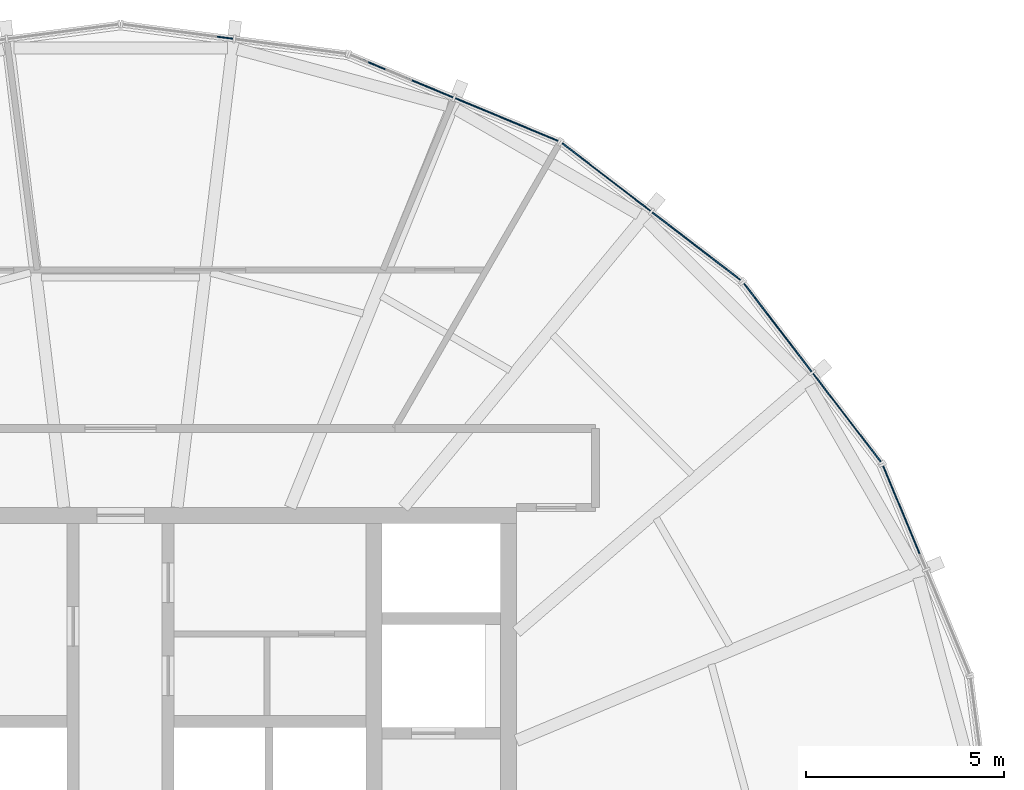
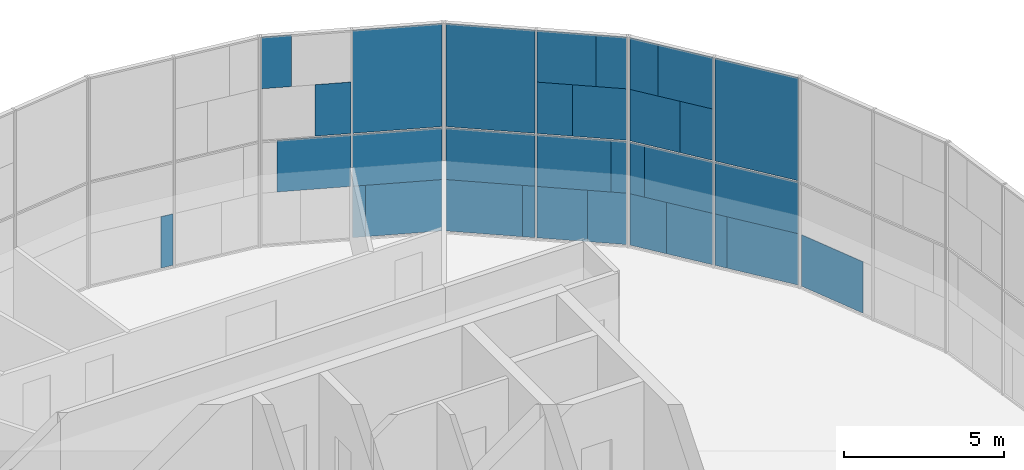
# One storey, part 15 of 19: 33 plates, 5 elements without a shape of their own.
"""IFC4 building model written with IfcOpenShell, lengths in metres."""

from ifc_helpers import new_model, si_unit, direction, frame, origin, origin_2d, place, context, subcontext, project, spatial, rectangle, extrude, material, layer, layer_set, type_object, element, aggregate, save


model = new_model("IFC4")

# Units and contexts
model_context = context("Model", 3, precision=1e-05, world=origin(), true_north=direction((0.0, 1.0)))
body_context = subcontext(model_context, "Body", "Model", "MODEL_VIEW")
ifc_project = project(units=[si_unit("LENGTHUNIT", "METRE"), si_unit("AREAUNIT", "SQUARE_METRE"), si_unit("VOLUMEUNIT", "CUBIC_METRE"), si_unit("PLANEANGLEUNIT", "RADIAN"), si_unit("MASSUNIT", "GRAM", prefix="KILO")], contexts=[model_context])

# Site, building, storey
site_placement = place(None, origin())
site = spatial("IfcSite", under=ifc_project, at=site_placement, CompositionType="ELEMENT")
building_placement = place(site_placement, origin())
building = spatial("IfcBuilding", under=site, at=building_placement, Name="Golbaran Civic Tower", CompositionType="ELEMENT")
storey_placement = place(building_placement, frame((0.0, 0.0, 256.0)))
storey = spatial("IfcBuildingStorey", under=building, at=storey_placement, Name="L62", CompositionType="ELEMENT", Elevation=256.0)

# Curtain wall, plate
ifc_material_1 = material(Name="Aluminium and glass", Category="aluminium")
curtain_wall_type = type_object("IfcCurtainWallType", Name="INNER SKIN CURTAIN WALL EXECUTIVE", PredefinedType="NOTDEFINED", material=ifc_material_1)
curtain_wall_1_placement = place(storey_placement, origin())
curtain_wall_1 = element("IfcCurtainWall", 1, at=curtain_wall_1_placement, inside=storey, type_object=curtain_wall_type, Name="Inner skin L62 facet 2 CW2", ObjectType="INNER SKIN", PredefinedType="USERDEFINED")
ifc_material_2 = material(Name="Clear insulating glass", Category="glass")
ifc_layer_1 = layer(ifc_material_2, 0.031982421875, Name="Clear insulating glass")
ifc_layer_set_1 = layer_set([ifc_layer_1], Name="Clear insulating glass")
plate_type_1 = type_object("IfcPlateType", Name="INNER SKIN CURTAIN WALL EXECUTIVE GLAZED PANEL", PredefinedType="CURTAIN_PANEL", material=ifc_layer_set_1)
plate_1_placement = place(storey_placement, frame((19.720947265625, 9.93798828125, 0.06005859375), z_axis=(0.0, 0.0, 1.0), x_axis=(-0.382683432365, 0.923879532511, 0.0)))
plate_1 = element("IfcPlate", 2, at=plate_1_placement, type_object=plate_type_1, Name="CW2 panel 2.1 part 2", PredefinedType="CURTAIN_PANEL", context=body_context, shape_type="SweptSolid", body=[
    extrude(rectangle(XDim=2.409423828125, YDim=0.031982421875, at=origin_2d()), origin(), (0.0, 0.0, 1.0), 1.955078125),
])
aggregate(curtain_wall_1, [plate_1])

# Curtain wall, plates
curtain_wall_2_placement = place(storey_placement, origin())
curtain_wall_2 = element("IfcCurtainWall", 3, at=curtain_wall_2_placement, inside=storey, type_object=curtain_wall_type, Name="Inner skin L62 facet 3 CW2", ObjectType="INNER SKIN", PredefinedType="USERDEFINED")
plate_2_placement = place(storey_placement, frame((18.467529296875, 12.109375, 0.06005859375), z_axis=(0.0, 0.0, 1.0), x_axis=(-0.608761429078, 0.793353340238, 0.0)))
plate_2 = element("IfcPlate", 4, at=plate_2_placement, type_object=plate_type_1, Name="CW2 panel 1.1 part 1", PredefinedType="CURTAIN_PANEL", context=body_context, shape_type="SweptSolid", body=[
    extrude(rectangle(XDim=2.407958984375, YDim=0.031982421875, at=origin_2d()), origin(), (0.0, 0.0, 1.0), 1.955078125),
])
plate_3_placement = place(storey_placement, frame((18.345458984375, 12.2685546875, 2.014892578125), z_axis=(0.0, 0.0, 1.0), x_axis=(-0.608761429078, 0.793353340238, 0.0)))
plate_3 = element("IfcPlate", 5, at=plate_3_placement, type_object=plate_type_1, Name="CW2 panel 1.1 part 3", PredefinedType="CURTAIN_PANEL", context=body_context, shape_type="SweptSolid", body=[
    extrude(rectangle(XDim=2.809326171875, YDim=0.031982421875, at=origin_2d()), origin(), (0.0, 0.0, 1.0), 1.955078125),
])
plate_4_placement = place(storey_placement, frame((18.345458984375, 12.2685546875, 4.0302734375), z_axis=(0.0, 0.0, 1.0), x_axis=(-0.608761429078, 0.793353340238, 0.0)))
plate_4 = element("IfcPlate", 6, at=plate_4_placement, type_object=plate_type_1, Name="CW2 panel 1.2", PredefinedType="CURTAIN_PANEL", context=body_context, shape_type="SweptSolid", body=[
    extrude(rectangle(XDim=2.809326171875, YDim=0.031982421875, at=origin_2d()), origin(), (0.0, 0.0, 1.0), 3.909912109375),
])
plate_5_placement = place(storey_placement, frame((16.1171875, 15.172607421875, 0.06005859375), z_axis=(0.0, 0.0, 1.0), x_axis=(-0.608761429078, 0.793353340238, 0.0)))
plate_5 = element("IfcPlate", 7, at=plate_5_placement, type_object=plate_type_1, Name="CW2 panel 2.1 part 2", PredefinedType="CURTAIN_PANEL", context=body_context, shape_type="SweptSolid", body=[
    extrude(rectangle(XDim=1.227294921875, YDim=0.031982421875, at=origin_2d()), origin(), (0.0, 0.0, 1.0), 1.955078125),
])
plate_6_placement = place(storey_placement, frame((15.891845703125, 15.466064453125, 2.014892578125), z_axis=(0.0, 0.0, 1.0), x_axis=(-0.608761429078, 0.793353340238, 0.0)))
plate_6 = element("IfcPlate", 8, at=plate_6_placement, type_object=plate_type_1, Name="CW2 panel 2.1 part 4", PredefinedType="CURTAIN_PANEL", context=body_context, shape_type="SweptSolid", body=[
    extrude(rectangle(XDim=0.4873046875, YDim=0.031982421875, at=origin_2d()), origin(), (0.0, 0.0, 1.0), 1.955078125),
])
plate_7_placement = place(storey_placement, frame((17.113525390625, 13.8740234375, 4.030029296875), z_axis=(0.0, 0.0, 1.0), x_axis=(-0.608761429078, 0.793353340238, 0.0)))
plate_7 = element("IfcPlate", 9, at=plate_7_placement, type_object=plate_type_1, Name="CW2 panel 2.2 part 1", PredefinedType="CURTAIN_PANEL", context=body_context, shape_type="SweptSolid", body=[
    extrude(rectangle(XDim=1.117919921875, YDim=0.031982421875, at=origin_2d()), origin(), (0.0, 0.0, 1.0), 1.955078125),
])
plate_8_placement = place(storey_placement, frame((16.888427734375, 14.167236328125, 5.98486328125), z_axis=(0.0, 0.0, 1.0), x_axis=(-0.608761429078, 0.793353340238, 0.0)))
plate_8 = element("IfcPlate", 10, at=plate_8_placement, type_object=plate_type_1, Name="CW2 panel 2.2 part 3", PredefinedType="CURTAIN_PANEL", context=body_context, shape_type="SweptSolid", body=[
    extrude(rectangle(XDim=1.85693359375, YDim=0.031982421875, at=origin_2d()), origin(), (0.0, 0.0, 1.0), 1.955078125),
])

curtain_wall_3_placement = place(storey_placement, origin())
curtain_wall_3 = element("IfcCurtainWall", 11, at=curtain_wall_3_placement, inside=storey, type_object=curtain_wall_type, Name="Inner skin L62 facet 4 CW2", ObjectType="INNER SKIN", PredefinedType="USERDEFINED")
plate_9_placement = place(storey_placement, frame((15.172607421875, 16.116943359375, 0.06005859375), z_axis=(0.0, 0.0, 1.0), x_axis=(-0.793353340238, 0.608761429078, 0.0)))
plate_9 = element("IfcPlate", 12, at=plate_9_placement, type_object=plate_type_1, Name="CW2 panel 1.1 part 1", PredefinedType="CURTAIN_PANEL", context=body_context, shape_type="SweptSolid", body=[
    extrude(rectangle(XDim=1.22705078125, YDim=0.031982421875, at=origin_2d()), origin(), (0.0, 0.0, 1.0), 1.955078125),
])
plate_10_placement = place(storey_placement, frame((15.4658203125, 15.89208984375, 2.014892578125), z_axis=(0.0, 0.0, 1.0), x_axis=(-0.793353340238, 0.608761429078, 0.0)))
plate_10 = element("IfcPlate", 13, at=plate_10_placement, type_object=plate_type_1, Name="CW2 panel 1.1 part 3", PredefinedType="CURTAIN_PANEL", context=body_context, shape_type="SweptSolid", body=[
    extrude(rectangle(XDim=0.488037109375, YDim=0.031982421875, at=origin_2d()), origin(), (0.0, 0.0, 1.0), 1.955078125),
])
plate_11_placement = place(storey_placement, frame((13.873779296875, 17.113525390625, 4.030029296875), z_axis=(0.0, 0.0, 1.0), x_axis=(-0.793353340238, 0.608761429078, 0.0)))
plate_11 = element("IfcPlate", 14, at=plate_11_placement, type_object=plate_type_1, Name="CW2 panel 1.2 part 2", PredefinedType="CURTAIN_PANEL", context=body_context, shape_type="SweptSolid", body=[
    extrude(rectangle(XDim=1.117431640625, YDim=0.031982421875, at=origin_2d()), origin(), (0.0, 0.0, 1.0), 1.955078125),
])
plate_12_placement = place(storey_placement, frame((14.167236328125, 16.888427734375, 5.98486328125), z_axis=(0.0, 0.0, 1.0), x_axis=(-0.793353340238, 0.608761429078, 0.0)))
plate_12 = element("IfcPlate", 15, at=plate_12_placement, type_object=plate_type_1, Name="CW2 panel 1.2 part 4", PredefinedType="CURTAIN_PANEL", context=body_context, shape_type="SweptSolid", body=[
    extrude(rectangle(XDim=1.857421875, YDim=0.031982421875, at=origin_2d()), origin(), (0.0, 0.0, 1.0), 1.955078125),
])
plate_13_placement = place(storey_placement, frame((12.10986328125, 18.467041015625, 0.06005859375), z_axis=(0.0, 0.0, 1.0), x_axis=(-0.793353340238, 0.608761429078, 0.0)))
plate_13 = element("IfcPlate", 16, at=plate_13_placement, type_object=plate_type_1, Name="CW2 panel 2.1 part 2", PredefinedType="CURTAIN_PANEL", context=body_context, shape_type="SweptSolid", body=[
    extrude(rectangle(XDim=2.409423828125, YDim=0.031982421875, at=origin_2d()), origin(), (0.0, 0.0, 1.0), 1.955078125),
])
plate_14_placement = place(storey_placement, frame((12.2685546875, 18.345458984375, 2.014892578125), z_axis=(0.0, 0.0, 1.0), x_axis=(-0.793353340238, 0.608761429078, 0.0)))
plate_14 = element("IfcPlate", 17, at=plate_14_placement, type_object=plate_type_1, Name="CW2 panel 2.1 part 3", PredefinedType="CURTAIN_PANEL", context=body_context, shape_type="SweptSolid", body=[
    extrude(rectangle(XDim=2.809326171875, YDim=0.031982421875, at=origin_2d()), origin(), (0.0, 0.0, 1.0), 1.955078125),
])
plate_15_placement = place(storey_placement, frame((12.2685546875, 18.345458984375, 4.0302734375), z_axis=(0.0, 0.0, 1.0), x_axis=(-0.793353340238, 0.608761429078, 0.0)))
plate_15 = element("IfcPlate", 18, at=plate_15_placement, type_object=plate_type_1, Name="CW2 panel 2.2", PredefinedType="CURTAIN_PANEL", context=body_context, shape_type="SweptSolid", body=[
    extrude(rectangle(XDim=2.809326171875, YDim=0.031982421875, at=origin_2d()), origin(), (0.0, 0.0, 1.0), 3.909912109375),
])

curtain_wall_4_placement = place(storey_placement, origin())
curtain_wall_4 = element("IfcCurtainWall", 19, at=curtain_wall_4_placement, inside=storey, type_object=curtain_wall_type, Name="Inner skin L62 facet 5 CW2", ObjectType="INNER SKIN", PredefinedType="USERDEFINED")
plate_16_placement = place(storey_placement, frame((9.938720703125, 19.720703125, 0.06005859375), z_axis=(0.0, 0.0, 1.0), x_axis=(-0.923879532511, 0.382683432365, 0.0)))
plate_16 = element("IfcPlate", 20, at=plate_16_placement, type_object=plate_type_1, Name="CW2 panel 1.1 part 1", PredefinedType="CURTAIN_PANEL", context=body_context, shape_type="SweptSolid", body=[
    extrude(rectangle(XDim=2.407958984375, YDim=0.031982421875, at=origin_2d()), origin(), (0.0, 0.0, 1.0), 1.955078125),
])
plate_17_placement = place(storey_placement, frame((9.75341796875, 19.797607421875, 2.014892578125), z_axis=(0.0, 0.0, 1.0), x_axis=(-0.923879532511, 0.382683432365, 0.0)))
plate_17 = element("IfcPlate", 21, at=plate_17_placement, type_object=plate_type_1, Name="CW2 panel 1.1 part 3", PredefinedType="CURTAIN_PANEL", context=body_context, shape_type="SweptSolid", body=[
    extrude(rectangle(XDim=2.809326171875, YDim=0.031982421875, at=origin_2d()), origin(), (0.0, 0.0, 1.0), 1.955078125),
])
plate_18_placement = place(storey_placement, frame((9.75341796875, 19.797607421875, 4.0302734375), z_axis=(0.0, 0.0, 1.0), x_axis=(-0.923879532511, 0.382683432365, 0.0)))
plate_18 = element("IfcPlate", 22, at=plate_18_placement, type_object=plate_type_1, Name="CW2 panel 1.2", PredefinedType="CURTAIN_PANEL", context=body_context, shape_type="SweptSolid", body=[
    extrude(rectangle(XDim=2.809326171875, YDim=0.031982421875, at=origin_2d()), origin(), (0.0, 0.0, 1.0), 3.909912109375),
])
plate_19_placement = place(storey_placement, frame((7.883544921875, 20.572021484375, 4.030029296875), z_axis=(0.0, 0.0, 1.0), x_axis=(-0.923879532511, 0.382683432365, 0.0)))
plate_19 = element("IfcPlate", 23, at=plate_19_placement, type_object=plate_type_1, Name="CW2 panel 2.2 part 1", PredefinedType="CURTAIN_PANEL", context=body_context, shape_type="SweptSolid", body=[
    extrude(rectangle(XDim=1.117919921875, YDim=0.031982421875, at=origin_2d()), origin(), (0.0, 0.0, 1.0), 1.955078125),
])

# Plate
ifc_material_3 = material(Name="Aluminium faced opaque infill panel", Category="aluminium")
ifc_layer_2 = layer(ifc_material_3, 0.031982421875, Name="Aluminium faced opaque infill panel")
ifc_layer_set_2 = layer_set([ifc_layer_2], Name="Aluminium faced opaque infill panel")
plate_type_2 = type_object("IfcPlateType", Name="INNER SKIN CURTAIN WALL EXECUTIVE OPAQUE INFILL PANEL", PredefinedType="CURTAIN_PANEL", material=ifc_layer_set_2)
plate_20_placement = place(storey_placement, frame((17.612548828125, 13.2236328125, 0.06005859375), z_axis=(0.0, 0.0, 1.0), x_axis=(-0.608761429078, 0.793353340238, 0.0)))
plate_20 = element("IfcPlate", 24, at=plate_20_placement, type_object=plate_type_2, Name="CW2 infill panel 1.1 part 2", PredefinedType="CURTAIN_PANEL", context=body_context, shape_type="SweptSolid", body=[
    extrude(rectangle(XDim=0.4013671875, YDim=0.031982421875, at=origin_2d()), origin(), (0.0, 0.0, 1.0), 1.955078125),
])

plate_21_placement = place(storey_placement, frame((16.97216796875, 14.05810546875, 0.06005859375), z_axis=(0.0, 0.0, 1.0), x_axis=(-0.608761429078, 0.793353340238, 0.0)))
plate_21 = element("IfcPlate", 25, at=plate_21_placement, type_object=plate_type_2, Name="CW2 infill panel 2.1 part 1", PredefinedType="CURTAIN_PANEL", context=body_context, shape_type="SweptSolid", body=[
    extrude(rectangle(XDim=1.58203125, YDim=0.031982421875, at=origin_2d()), origin(), (0.0, 0.0, 1.0), 1.955078125),
])

plate_22_placement = place(storey_placement, frame((16.7470703125, 14.3515625, 2.014892578125), z_axis=(0.0, 0.0, 1.0), x_axis=(-0.608761429078, 0.793353340238, 0.0)))
plate_22 = element("IfcPlate", 26, at=plate_22_placement, type_object=plate_type_2, Name="CW2 infill panel 2.1 part 3", PredefinedType="CURTAIN_PANEL", context=body_context, shape_type="SweptSolid", body=[
    extrude(rectangle(XDim=2.322021484375, YDim=0.031982421875, at=origin_2d()), origin(), (0.0, 0.0, 1.0), 1.955078125),
])

plate_23_placement = place(storey_placement, frame((16.25830078125, 14.988525390625, 4.030029296875), z_axis=(0.0, 0.0, 1.0), x_axis=(-0.608761429078, 0.793353340238, 0.0)))
plate_23 = element("IfcPlate", 27, at=plate_23_placement, type_object=plate_type_2, Name="CW2 infill panel 2.2 part 2", PredefinedType="CURTAIN_PANEL", context=body_context, shape_type="SweptSolid", body=[
    extrude(rectangle(XDim=1.69140625, YDim=0.031982421875, at=origin_2d()), origin(), (0.0, 0.0, 1.0), 1.955078125),
])

plate_24_placement = place(storey_placement, frame((16.033447265625, 15.281494140625, 5.98486328125), z_axis=(0.0, 0.0, 1.0), x_axis=(-0.608761429078, 0.793353340238, 0.0)))
plate_24 = element("IfcPlate", 28, at=plate_24_placement, type_object=plate_type_2, Name="CW2 infill panel 2.2 part 4", PredefinedType="CURTAIN_PANEL", context=body_context, shape_type="SweptSolid", body=[
    extrude(rectangle(XDim=0.952392578125, YDim=0.031982421875, at=origin_2d()), origin(), (0.0, 0.0, 1.0), 1.955078125),
])

aggregate(curtain_wall_2, [plate_2, plate_20, plate_3, plate_4, plate_21, plate_5, plate_22, plate_6, plate_7, plate_23, plate_8, plate_24])

plate_25_placement = place(storey_placement, frame((14.05810546875, 16.97216796875, 0.06005859375), z_axis=(0.0, 0.0, 1.0), x_axis=(-0.793353340238, 0.608761429078, 0.0)))
plate_25 = element("IfcPlate", 29, at=plate_25_placement, type_object=plate_type_2, Name="CW2 infill panel 1.1 part 2", PredefinedType="CURTAIN_PANEL", context=body_context, shape_type="SweptSolid", body=[
    extrude(rectangle(XDim=1.582275390625, YDim=0.031982421875, at=origin_2d()), origin(), (0.0, 0.0, 1.0), 1.955078125),
])

plate_26_placement = place(storey_placement, frame((14.351318359375, 16.7470703125, 2.014892578125), z_axis=(0.0, 0.0, 1.0), x_axis=(-0.793353340238, 0.608761429078, 0.0)))
plate_26 = element("IfcPlate", 30, at=plate_26_placement, type_object=plate_type_2, Name="CW2 infill panel 1.1 part 4", PredefinedType="CURTAIN_PANEL", context=body_context, shape_type="SweptSolid", body=[
    extrude(rectangle(XDim=2.3212890625, YDim=0.031982421875, at=origin_2d()), origin(), (0.0, 0.0, 1.0), 1.955078125),
])

plate_27_placement = place(storey_placement, frame((14.98828125, 16.258544921875, 4.030029296875), z_axis=(0.0, 0.0, 1.0), x_axis=(-0.793353340238, 0.608761429078, 0.0)))
plate_27 = element("IfcPlate", 31, at=plate_27_placement, type_object=plate_type_2, Name="CW2 infill panel 1.2 part 1", PredefinedType="CURTAIN_PANEL", context=body_context, shape_type="SweptSolid", body=[
    extrude(rectangle(XDim=1.69189453125, YDim=0.031982421875, at=origin_2d()), origin(), (0.0, 0.0, 1.0), 1.955078125),
])

plate_28_placement = place(storey_placement, frame((15.28173828125, 16.033203125, 5.98486328125), z_axis=(0.0, 0.0, 1.0), x_axis=(-0.793353340238, 0.608761429078, 0.0)))
plate_28 = element("IfcPlate", 32, at=plate_28_placement, type_object=plate_type_2, Name="CW2 infill panel 1.2 part 3", PredefinedType="CURTAIN_PANEL", context=body_context, shape_type="SweptSolid", body=[
    extrude(rectangle(XDim=0.951904296875, YDim=0.031982421875, at=origin_2d()), origin(), (0.0, 0.0, 1.0), 1.955078125),
])

plate_29_placement = place(storey_placement, frame((13.224365234375, 17.612060546875, 0.06005859375), z_axis=(0.0, 0.0, 1.0), x_axis=(-0.793353340238, 0.608761429078, 0.0)))
plate_29 = element("IfcPlate", 33, at=plate_29_placement, type_object=plate_type_2, Name="CW2 infill panel 2.1 part 1", PredefinedType="CURTAIN_PANEL", context=body_context, shape_type="SweptSolid", body=[
    extrude(rectangle(XDim=0.39990234375, YDim=0.031982421875, at=origin_2d()), origin(), (0.0, 0.0, 1.0), 1.955078125),
])

aggregate(curtain_wall_3, [plate_9, plate_25, plate_10, plate_26, plate_27, plate_11, plate_28, plate_12, plate_29, plate_13, plate_14, plate_15])

plate_30_placement = place(storey_placement, frame((8.640869140625, 20.25830078125, 0.06005859375), z_axis=(0.0, 0.0, 1.0), x_axis=(-0.923879532511, 0.382683432365, 0.0)))
plate_30 = element("IfcPlate", 34, at=plate_30_placement, type_object=plate_type_2, Name="CW2 infill panel 1.1 part 2", PredefinedType="CURTAIN_PANEL", context=body_context, shape_type="SweptSolid", body=[
    extrude(rectangle(XDim=0.4013671875, YDim=0.031982421875, at=origin_2d()), origin(), (0.0, 0.0, 1.0), 1.955078125),
])

plate_31_placement = place(storey_placement, frame((7.327392578125, 20.80224609375, 2.014892578125), z_axis=(0.0, 0.0, 1.0), x_axis=(-0.923879532511, 0.382683432365, 0.0)))
plate_31 = element("IfcPlate", 35, at=plate_31_placement, type_object=plate_type_2, Name="CW2 infill panel 2.1 part 3", PredefinedType="CURTAIN_PANEL", context=body_context, shape_type="SweptSolid", body=[
    extrude(rectangle(XDim=2.322021484375, YDim=0.031982421875, at=origin_2d()), origin(), (0.0, 0.0, 1.0), 1.955078125),
])

plate_32_placement = place(storey_placement, frame((6.24462890625, 21.2509765625, 5.98486328125), z_axis=(0.0, 0.0, 1.0), x_axis=(-0.923879532511, 0.382683432365, 0.0)))
plate_32 = element("IfcPlate", 36, at=plate_32_placement, type_object=plate_type_2, Name="CW2 infill panel 2.2 part 4", PredefinedType="CURTAIN_PANEL", context=body_context, shape_type="SweptSolid", body=[
    extrude(rectangle(XDim=0.952392578125, YDim=0.031982421875, at=origin_2d()), origin(), (0.0, 0.0, 1.0), 1.955078125),
])

aggregate(curtain_wall_4, [plate_16, plate_30, plate_17, plate_18, plate_31, plate_19, plate_32])

# Curtain wall, plate
curtain_wall_5_placement = place(storey_placement, origin())
curtain_wall_5 = element("IfcCurtainWall", 37, at=curtain_wall_5_placement, inside=storey, type_object=curtain_wall_type, Name="Inner skin L62 facet 6 CW2", ObjectType="INNER SKIN", PredefinedType="USERDEFINED")
plate_33_placement = place(storey_placement, frame((2.646484375, 21.864501953125, 0.06005859375), z_axis=(0.0, 0.0, 1.0), x_axis=(-0.991444861367, 0.130526192272, 0.0)))
plate_33 = element("IfcPlate", 38, at=plate_33_placement, type_object=plate_type_2, Name="CW2 infill panel 2.1 part 1", PredefinedType="CURTAIN_PANEL", context=body_context, shape_type="SweptSolid", body=[
    extrude(rectangle(XDim=0.39990234375, YDim=0.031982421875, at=origin_2d()), origin(), (0.0, 0.0, 1.0), 1.955078125),
])
aggregate(curtain_wall_5, [plate_33])

save(model, "model.ifc")
